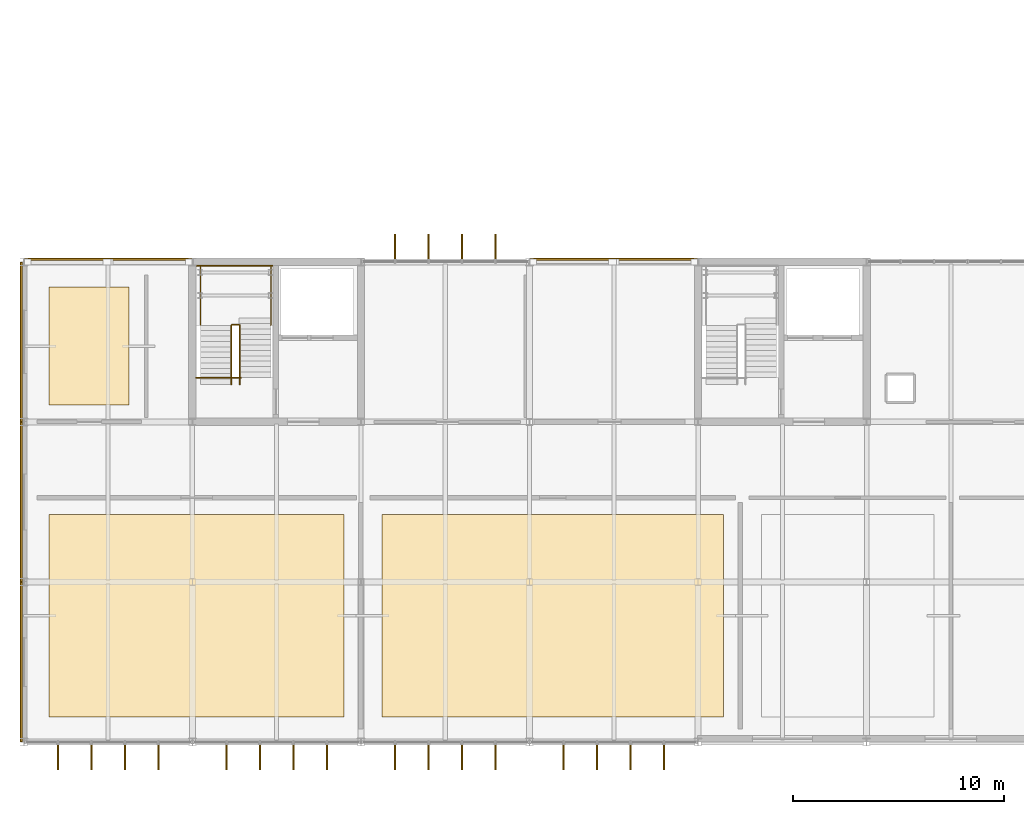
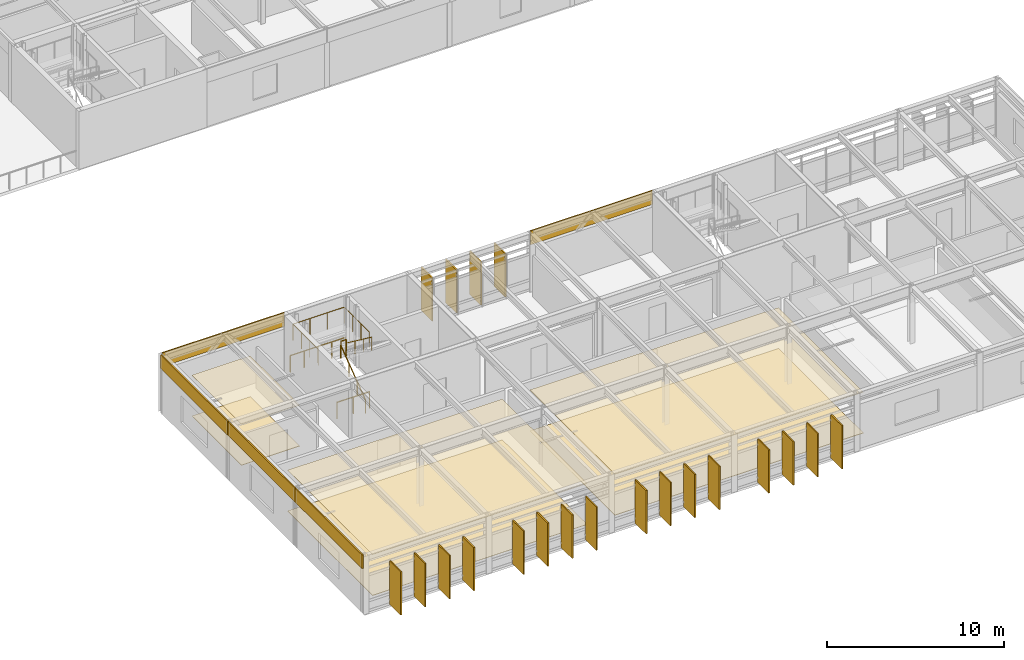
# One storey, part 30 of 33: 20 shading devices, 11 coverings, 6 railings.
"""IFC4 building model written with IfcOpenShell, lengths in metres."""

from ifc_helpers import new_model, si_unit, direction, frame, origin, origin_2d, place, context, subcontext, project, spatial, polyline, rectangle, circle, outline, extrude, material, layer, layer_set, type_object, element, save


model = new_model("IFC4")

# Units and contexts
model_context = context("Model", 3, precision=1e-05, world=origin(), true_north=direction((0.0, 1.0)))
body_context = subcontext(model_context, "Body", "Model", "MODEL_VIEW")
ifc_project = project(units=[si_unit("LENGTHUNIT", "METRE"), si_unit("AREAUNIT", "SQUARE_METRE"), si_unit("VOLUMEUNIT", "CUBIC_METRE"), si_unit("PLANEANGLEUNIT", "RADIAN"), si_unit("MASSUNIT", "GRAM", prefix="KILO")], contexts=[model_context])

# Site, building, storey
site_placement = place(None, origin())
site = spatial("IfcSite", under=ifc_project, at=site_placement, CompositionType="ELEMENT")
building_placement = place(site_placement, origin())
building = spatial("IfcBuilding", under=site, at=building_placement, Name="Zulena Civic Courthouse", CompositionType="ELEMENT")
storey_placement = place(building_placement, frame((0.0, 0.0, 33.60009765625)))
storey = spatial("IfcBuildingStorey", under=building, at=storey_placement, Name="L07", CompositionType="ELEMENT", Elevation=33.60009765625)

# Coverings
ifc_material_1 = material(Name="Perforated acoustic mineral-fibre ceiling tile", Category="concrete")
ifc_layer_1 = layer(ifc_material_1, 0.02490234375)
ifc_layer_set_1 = layer_set([ifc_layer_1], Name="Perforated acoustic mineral-fibre ceiling tile")
covering_type_1 = type_object("IfcCoveringType", Name="AcousticCeiling_25", PredefinedType="CEILING", material=ifc_layer_set_1)
covering_1_placement = place(storey_placement, frame((0.0, 0.0, 2.81982421875)))
element("IfcCovering", 1, at=covering_1_placement, inside=storey, type_object=covering_type_1, Name="ceil:L07:349", PredefinedType="CEILING", context=body_context, shape_type="SweptSolid", body=[
    extrude(outline(polyline([(13.199951171875, 1.199951171875), (27.199951171875, 1.199951171875), (27.199951171875, 10.800048828125), (13.199951171875, 10.800048828125), (13.199951171875, 1.199951171875)])), origin(), (0.0, 0.0, 1.0), 0.025146484375),
])
covering_2_placement = place(storey_placement, frame((0.0, 0.0, 2.81982421875)))
element("IfcCovering", 2, at=covering_2_placement, inside=storey, type_object=covering_type_1, Name="ceil:L07:350", PredefinedType="CEILING", context=body_context, shape_type="SweptSolid", body=[
    extrude(outline(polyline([(29.0, 1.199951171875), (45.199951171875, 1.199951171875), (45.199951171875, 10.800048828125), (29.0, 10.800048828125), (29.0, 1.199951171875)])), origin(), (0.0, 0.0, 1.0), 0.025146484375),
])
covering_3_placement = place(storey_placement, frame((0.0, 0.0, 2.81982421875)))
element("IfcCovering", 3, at=covering_3_placement, inside=storey, type_object=covering_type_1, Name="ceil:L07:353", PredefinedType="CEILING", context=body_context, shape_type="SweptSolid", body=[
    extrude(outline(polyline([(13.199951171875, 16.0), (17.0, 16.0), (17.0, 21.60009765625), (13.199951171875, 21.60009765625), (13.199951171875, 16.0)])), origin(), (0.0, 0.0, 1.0), 0.025146484375),
])

# Shading devices
ifc_material_2 = material(Name="Gold anodised architectural aluminium AA6063-T6", Category="aluminium")
shading_device_type = type_object("IfcShadingDeviceType", Name="GoldSolarFin_300", PredefinedType="USERDEFINED", material=ifc_material_2)
for number, where, z_axis, x_axis, name in (
    (4, (29.617919921875, 23.485107421875, 0.0498046875), (0.0, 0.0, 1.0), (0.0, 1.0, 0.0), "fin:V2:L07:1:2:1"),
    (5, (31.2060546875, 23.485107421875, 0.0498046875), (0.0, 0.0, 1.0), (0.0, 1.0, 0.0), "fin:V2:L07:1:2:2"),
    (6, (32.7939453125, 23.485107421875, 0.0498046875), (0.0, 0.0, 1.0), (0.0, 1.0, 0.0), "fin:V2:L07:1:2:3"),
    (7, (34.382080078125, 23.485107421875, 0.0498046875), (0.0, 0.0, 1.0), (0.0, 1.0, 0.0), "fin:V2:L07:1:2:4"),
    (8, (42.382080078125, -0.68505859375, 0.0498046875), (0.0, 0.0, 1.0), (0.0, -1.0, 0.0), "fin:V2:L07:3:3:1"),
    (9, (40.7939453125, -0.68505859375, 0.0498046875), (0.0, 0.0, 1.0), (0.0, -1.0, 0.0), "fin:V2:L07:3:3:2"),
    (10, (39.2060546875, -0.68505859375, 0.0498046875), (0.0, 0.0, 1.0), (0.0, -1.0, 0.0), "fin:V2:L07:3:3:3"),
    (11, (37.617919921875, -0.68505859375, 0.0498046875), (0.0, 0.0, 1.0), (0.0, -1.0, 0.0), "fin:V2:L07:3:3:4"),
    (12, (34.382080078125, -0.68505859375, 0.0498046875), (0.0, 0.0, 1.0), (0.0, -1.0, 0.0), "fin:V2:L07:3:4:1"),
    (13, (32.7939453125, -0.68505859375, 0.0498046875), (0.0, 0.0, 1.0), (0.0, -1.0, 0.0), "fin:V2:L07:3:4:2"),
    (14, (31.2060546875, -0.68505859375, 0.0498046875), (0.0, 0.0, 1.0), (0.0, -1.0, 0.0), "fin:V2:L07:3:4:3"),
    (15, (29.617919921875, -0.68505859375, 0.0498046875), (0.0, 0.0, 1.0), (0.0, -1.0, 0.0), "fin:V2:L07:3:4:4"),
    (16, (26.382080078125, -0.68505859375, 0.0498046875), (0.0, 0.0, 1.0), (0.0, -1.0, 0.0), "fin:V2:L07:3:5:1"),
    (17, (24.7939453125, -0.68505859375, 0.0498046875), (0.0, 0.0, 1.0), (0.0, -1.0, 0.0), "fin:V2:L07:3:5:2"),
    (18, (23.2060546875, -0.68505859375, 0.0498046875), (0.0, 0.0, 1.0), (0.0, -1.0, 0.0), "fin:V2:L07:3:5:3"),
    (19, (21.617919921875, -0.68505859375, 0.0498046875), (0.0, 0.0, 1.0), (0.0, -1.0, 0.0), "fin:V2:L07:3:5:4"),
    (20, (18.382080078125, -0.68505859375, 0.0498046875), (0.0, 0.0, 1.0), (0.0, -1.0, 0.0), "fin:V2:L07:3:6:1"),
    (21, (16.7939453125, -0.68505859375, 0.0498046875), (0.0, 0.0, 1.0), (0.0, -1.0, 0.0), "fin:V2:L07:3:6:2"),
    (22, (15.2060546875, -0.68505859375, 0.0498046875), (0.0, 0.0, 1.0), (0.0, -1.0, 0.0), "fin:V2:L07:3:6:3"),
    (23, (13.617919921875, -0.68505859375, 0.0498046875), (0.0, 0.0, 1.0), (0.0, -1.0, 0.0), "fin:V2:L07:3:6:4"),
):
    element("IfcShadingDevice", number, at=place(storey_placement, frame(where, z_axis=z_axis, x_axis=x_axis)), inside=storey, type_object=shading_device_type, Name=name, ObjectType="FIN", PredefinedType="USERDEFINED", context=body_context, shape_type="SweptSolid", body=[
        extrude(rectangle(XDim=1.25, YDim=0.080078125, at=origin_2d()), origin(), (0.0, 0.0, 1.0), 2.989990234375),
    ])

# Railings
ifc_material_3 = material(Name="Brushed architectural steel ASTM A36", Category="steel")
railing_type_1 = type_object("IfcRailingType", Name="InteriorGuardrail_1150", PredefinedType="GUARDRAIL", material=ifc_material_3)
railing_1_placement = place(storey_placement, frame((20.199951171875, 22.610107421875, 0.0)))
element("IfcRailing", 24, at=railing_1_placement, inside=storey, type_object=railing_type_1, Name="gr:wellN:K2A:L06", PredefinedType="GUARDRAIL", context=body_context, shape_type="SweptSolid", body=[
    extrude(circle(Radius=0.02392578125, at=origin_2d()), frame((0.00390625, 0.0, 1.1259765625), z_axis=(1.0, 0.0, 0.0), x_axis=(0.0, 1.0, 0.0)), (0.0, 0.0, 1.0), 3.592041015625),
    extrude(circle(Radius=0.02099609375, at=origin_2d()), origin(), (0.0, 0.0, 1.0), 1.097900390625),
    extrude(circle(Radius=0.02099609375, at=origin_2d()), frame((0.89990234375, 0.0, 0.0)), (0.0, 0.0, 1.0), 1.097900390625),
    extrude(circle(Radius=0.02099609375, at=origin_2d()), frame((1.800048828125, 0.0, 0.0)), (0.0, 0.0, 1.0), 1.097900390625),
    extrude(circle(Radius=0.02099609375, at=origin_2d()), frame((2.7001953125, 0.0, 0.0)), (0.0, 0.0, 1.0), 1.097900390625),
    extrude(circle(Radius=0.02099609375, at=origin_2d()), frame((3.60009765625, 0.0, 0.0)), (0.0, 0.0, 1.0), 1.097900390625),
])
railing_2_placement = place(storey_placement, frame((20.179931640625, 17.300048828125, 0.0)))
element("IfcRailing", 25, at=railing_2_placement, inside=storey, type_object=railing_type_1, Name="gr:wells:K2A:L07", PredefinedType="GUARDRAIL", context=body_context, shape_type="SweptSolid", body=[
    extrude(circle(Radius=0.02392578125, at=origin_2d()), frame((0.00390625, 0.0, 1.1259765625), z_axis=(1.0, 0.0, 0.0), x_axis=(0.0, 1.0, 0.0)), (0.0, 0.0, 1.0), 2.112060546875),
    extrude(circle(Radius=0.02099609375, at=origin_2d()), origin(), (0.0, 0.0, 1.0), 1.097900390625),
    extrude(circle(Radius=0.02099609375, at=origin_2d()), frame((1.06005859375, 0.0, 0.0)), (0.0, 0.0, 1.0), 1.097900390625),
    extrude(circle(Radius=0.02099609375, at=origin_2d()), frame((2.1201171875, 0.0, 0.0)), (0.0, 0.0, 1.0), 1.097900390625),
])
railing_3_placement = place(storey_placement, frame((20.3798828125, 19.78466796875, 2.099853515625)))
element("IfcRailing", 26, at=railing_3_placement, inside=storey, type_object=railing_type_1, Name="gr:lnd:K2A:L07", PredefinedType="GUARDRAIL", context=body_context, shape_type="SweptSolid", body=[
    extrude(circle(Radius=0.02392578125, at=origin_2d()), frame((0.0, 0.00390625, 1.1259765625), z_axis=(0.0, 1.0, 0.0), x_axis=(-1.0, 0.0, 0.0)), (0.0, 0.0, 1.0), 2.827392578125),
    extrude(circle(Radius=0.02392578125, at=origin_2d()), frame((0.00390625, 2.83544921875, 1.1259765625), z_axis=(1.0, 0.0, 0.0), x_axis=(0.0, 1.0, 0.0)), (0.0, 0.0, 1.0), 3.33203125),
    extrude(circle(Radius=0.02392578125, at=origin_2d()), frame((3.340087890625, 2.83154296875, 1.1259765625), z_axis=(0.0, -1.0, 0.0), x_axis=(1.0, 0.0, 0.0)), (0.0, 0.0, 1.0), 2.827392578125),
    extrude(circle(Radius=0.02099609375, at=origin_2d()), origin(), (0.0, 0.0, 1.0), 1.097900390625),
    extrude(circle(Radius=0.02099609375, at=origin_2d()), frame((0.0, 0.945068359375, 0.0)), (0.0, 0.0, 1.0), 1.097900390625),
    extrude(circle(Radius=0.02099609375, at=origin_2d()), frame((0.0, 1.890380859375, 0.0)), (0.0, 0.0, 1.0), 1.097900390625),
    extrude(circle(Radius=0.02099609375, at=origin_2d()), frame((0.0, 2.83544921875, 0.0)), (0.0, 0.0, 1.0), 1.097900390625),
    extrude(circle(Radius=0.02099609375, at=origin_2d()), frame((1.11328125, 2.83544921875, 0.0)), (0.0, 0.0, 1.0), 1.097900390625),
    extrude(circle(Radius=0.02099609375, at=origin_2d()), frame((2.226806640625, 2.83544921875, 0.0)), (0.0, 0.0, 1.0), 1.097900390625),
    extrude(circle(Radius=0.02099609375, at=origin_2d()), frame((3.340087890625, 2.83544921875, 0.0)), (0.0, 0.0, 1.0), 1.097900390625),
    extrude(circle(Radius=0.02099609375, at=origin_2d()), frame((3.340087890625, 1.890380859375, 0.0)), (0.0, 0.0, 1.0), 1.097900390625),
    extrude(circle(Radius=0.02099609375, at=origin_2d()), frame((3.340087890625, 0.945068359375, 0.0)), (0.0, 0.0, 1.0), 1.097900390625),
    extrude(circle(Radius=0.02099609375, at=origin_2d()), frame((3.340087890625, 0.0, 0.0)), (0.0, 0.0, 1.0), 1.097900390625),
])
railing_4_placement = place(storey_placement, frame((21.8798828125, 19.804931640625, 2.099853515625)))
element("IfcRailing", 27, at=railing_4_placement, inside=storey, type_object=railing_type_1, Name="gr:lndslot:K2A:L07", PredefinedType="GUARDRAIL", context=body_context, shape_type="SweptSolid", body=[
    extrude(circle(Radius=0.02392578125, at=origin_2d()), frame((0.00390625, 0.0, 1.1259765625), z_axis=(1.0, 0.0, 0.0), x_axis=(0.0, 1.0, 0.0)), (0.0, 0.0, 1.0), 0.33203125),
    extrude(circle(Radius=0.02099609375, at=origin_2d()), origin(), (0.0, 0.0, 1.0), 1.097900390625),
    extrude(circle(Radius=0.02099609375, at=origin_2d()), frame((0.340087890625, 0.0, 0.0)), (0.0, 0.0, 1.0), 1.097900390625),
])

# Coverings
ifc_material_4 = material(Name="White architectural precast concrete C40/50", Category="concrete")
ifc_layer_2 = layer(ifc_material_4, 0.0849609375)
ifc_layer_set_2 = layer_set([ifc_layer_2], Name="White architectural precast concrete C40/50")
covering_type_2 = type_object("IfcCoveringType", Name="PrecastSpandrelCladding_85", PredefinedType="CLADDING", material=ifc_layer_set_2)
for number, where, z_axis, x_axis, name in (
    (28, (11.8798828125, 3.800048828125, 3.059814453125), (0.0, 0.0, 1.0), (0.0, 1.0, 0.0), "clad:sp:V2:L07:0:0"),
    (29, (11.8798828125, 11.39990234375, 3.059814453125), (0.0, 0.0, 1.0), (0.0, 1.0, 0.0), "clad:sp:V2:L07:0:1"),
    (30, (11.8798828125, 19.0, 3.059814453125), (0.0, 0.0, 1.0), (0.0, 1.0, 0.0), "clad:sp:V2:L07:0:2"),
):
    element("IfcCovering", number, at=place(storey_placement, frame(where, z_axis=z_axis, x_axis=x_axis)), inside=storey, type_object=covering_type_2, Name=name, PredefinedType="CLADDING", context=body_context, shape_type="SweptSolid", body=[
        extrude(rectangle(XDim=7.56005859375, YDim=0.0849609375, at=origin_2d()), origin(), (0.0, 0.0, 1.0), 0.93994140625),
    ])
for number, where, z_axis, x_axis, name in (
    (31, (16.0, 22.919921875, 3.059814453125), (0.0, 0.0, 1.0), (1.0, 0.0, 0.0), "clad:sp:V2:L07:1:0"),
    (32, (40.0, 22.919921875, 3.059814453125), (0.0, 0.0, 1.0), (1.0, 0.0, 0.0), "clad:sp:V2:L07:1:3"),
):
    element("IfcCovering", number, at=place(storey_placement, frame(where, z_axis=z_axis, x_axis=x_axis)), inside=storey, type_object=covering_type_2, Name=name, PredefinedType="CLADDING", context=body_context, shape_type="SweptSolid", body=[
        extrude(rectangle(XDim=7.9599609375, YDim=0.0849609375, at=origin_2d()), origin(), (0.0, 0.0, 1.0), 0.93994140625),
    ])

# Railings
railing_type_2 = type_object("IfcRailingType", Name="StairHandrail_920", PredefinedType="HANDRAIL", material=ifc_material_3)
railing_5_placement = place(storey_placement, frame((21.85009765625, 16.97998046875, 0.0)))
element("IfcRailing", 33, at=railing_5_placement, inside=storey, type_object=railing_type_2, Name="hr:K2A:L07:1", PredefinedType="HANDRAIL", context=body_context, shape_type="SweptSolid", body=[
    extrude(circle(Radius=0.02392578125, at=origin_2d()), frame((0.0, 0.003173828125, 0.898193359375), z_axis=(0.0, 0.800501427345, 0.599330847545), x_axis=(-1.0, 0.0, 0.0)), (0.0, 0.0, 1.0), 3.49560546875),
    extrude(circle(Radius=0.02099609375, at=origin_2d()), origin(), (0.0, 0.0, 1.0), 0.867919921875),
    extrude(circle(Radius=0.02099609375, at=origin_2d()), frame((0.0, 0.934814453125, 0.699951171875)), (0.0, 0.0, 1.0), 0.867919921875),
    extrude(circle(Radius=0.02099609375, at=origin_2d()), frame((0.0, 1.869873046875, 1.39990234375)), (0.0, 0.0, 1.0), 0.867919921875),
    extrude(circle(Radius=0.02099609375, at=origin_2d()), frame((0.0, 2.8046875, 2.099853515625)), (0.0, 0.0, 1.0), 0.867919921875),
])
railing_6_placement = place(storey_placement, frame((22.25, 19.78466796875, 2.099853515625)))
element("IfcRailing", 34, at=railing_6_placement, inside=storey, type_object=railing_type_2, Name="hr:K2A:L07:2", PredefinedType="HANDRAIL", context=body_context, shape_type="SweptSolid", body=[
    extrude(circle(Radius=0.02392578125, at=origin_2d()), frame((0.0, -0.003173828125, 0.898193359375), z_axis=(0.0, -0.800467996722, 0.599375496849), x_axis=(1.0, 0.0, 0.0)), (0.0, 0.0, 1.0), 3.495849609375),
    extrude(circle(Radius=0.02099609375, at=origin_2d()), origin(), (0.0, 0.0, 1.0), 0.867919921875),
    extrude(circle(Radius=0.02099609375, at=origin_2d()), frame((0.0, -0.934814453125, 0.699951171875)), (0.0, 0.0, 1.0), 0.867919921875),
    extrude(circle(Radius=0.02099609375, at=origin_2d()), frame((0.0, -1.869873046875, 1.400146484375)), (0.0, 0.0, 1.0), 0.867919921875),
    extrude(circle(Radius=0.02099609375, at=origin_2d()), frame((0.0, -2.8046875, 2.10009765625)), (0.0, 0.0, 1.0), 0.867919921875),
])

# Coverings
ifc_material_5 = material(Name="Honed travertine stone flooring", Category="masonry")
ifc_layer_3 = layer(ifc_material_5, 0.030029296875)
ifc_layer_set_3 = layer_set([ifc_layer_3], Name="Honed travertine stone flooring")
covering_type_3 = type_object("IfcCoveringType", Name="TravertineFlooring_30", PredefinedType="FLOORING", material=ifc_layer_set_3)
covering_4_placement = place(storey_placement, origin())
element("IfcCovering", 35, at=covering_4_placement, inside=storey, type_object=covering_type_3, Name="floor:L07:349", PredefinedType="FLOORING", context=body_context, shape_type="SweptSolid", body=[
    extrude(outline(polyline([(13.199951171875, 1.199951171875), (27.199951171875, 1.199951171875), (27.199951171875, 10.800048828125), (13.199951171875, 10.800048828125), (13.199951171875, 1.199951171875)])), origin(), (0.0, 0.0, 1.0), 0.02978515625),
])
covering_5_placement = place(storey_placement, origin())
element("IfcCovering", 36, at=covering_5_placement, inside=storey, type_object=covering_type_3, Name="floor:L07:350", PredefinedType="FLOORING", context=body_context, shape_type="SweptSolid", body=[
    extrude(outline(polyline([(29.0, 1.199951171875), (45.199951171875, 1.199951171875), (45.199951171875, 10.800048828125), (29.0, 10.800048828125), (29.0, 1.199951171875)])), origin(), (0.0, 0.0, 1.0), 0.02978515625),
])
covering_6_placement = place(storey_placement, origin())
element("IfcCovering", 37, at=covering_6_placement, inside=storey, type_object=covering_type_3, Name="floor:L07:353", PredefinedType="FLOORING", context=body_context, shape_type="SweptSolid", body=[
    extrude(outline(polyline([(13.199951171875, 16.0), (17.0, 16.0), (17.0, 21.60009765625), (13.199951171875, 21.60009765625), (13.199951171875, 16.0)])), origin(), (0.0, 0.0, 1.0), 0.02978515625),
])

save(model, "model.ifc")
